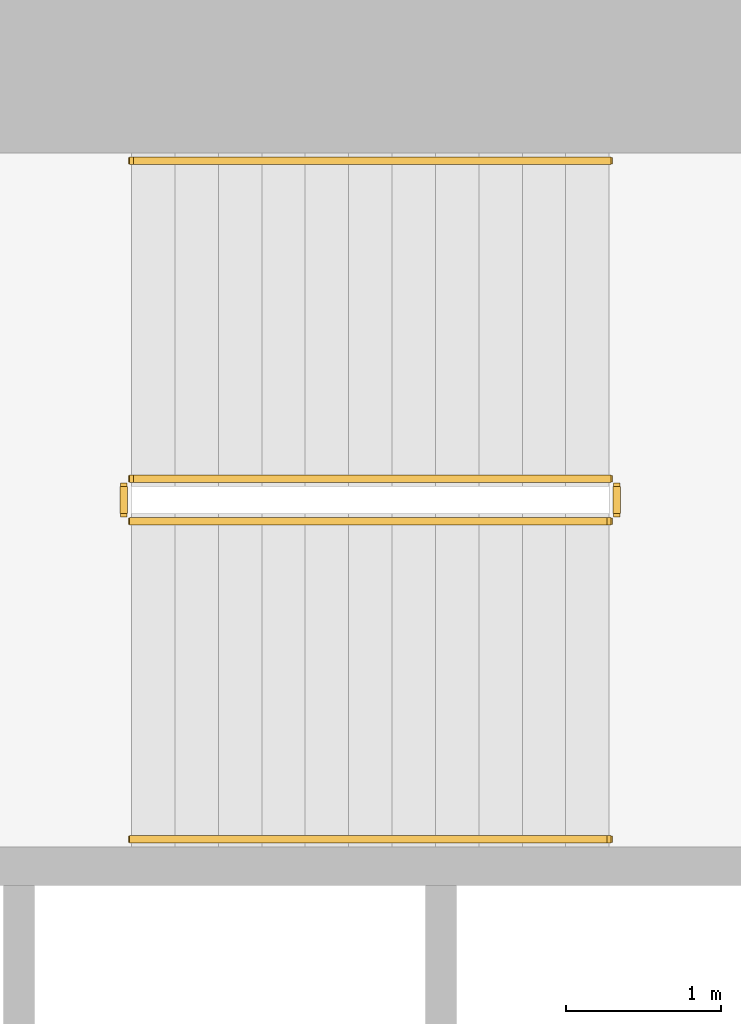
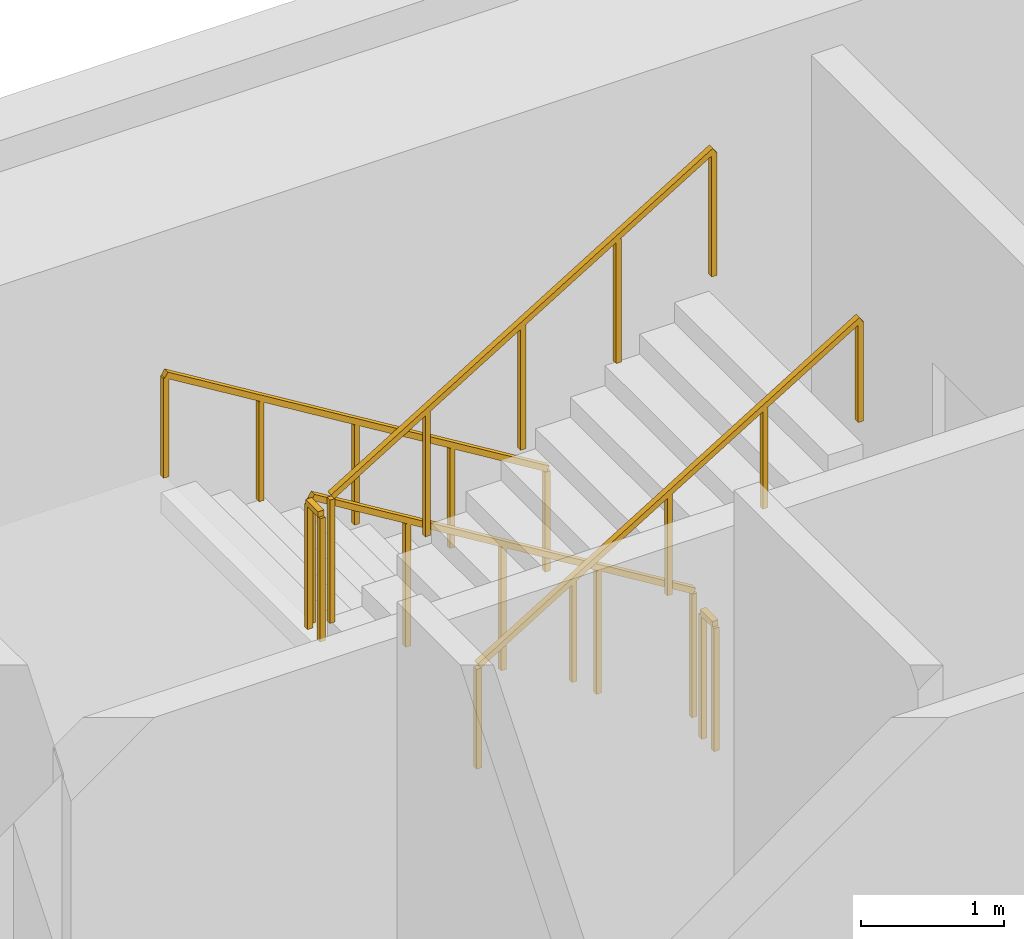
# One storey, part 14 of 16: 6 railings.
"""IFC4 building model written with IfcOpenShell, lengths in metres."""

from ifc_helpers import new_model, si_unit, direction, frame, origin, origin_2d, place, context, subcontext, project, spatial, rectangle, extrude, material, type_object, element, save


model = new_model("IFC4")

# Units and contexts
model_context = context("Model", 3, precision=1e-05, world=origin(), true_north=direction((0.0, 1.0)))
body_context = subcontext(model_context, "Body", "Model", "MODEL_VIEW")
ifc_project = project(units=[si_unit("LENGTHUNIT", "METRE"), si_unit("AREAUNIT", "SQUARE_METRE"), si_unit("VOLUMEUNIT", "CUBIC_METRE"), si_unit("PLANEANGLEUNIT", "RADIAN"), si_unit("MASSUNIT", "GRAM", prefix="KILO")], contexts=[model_context])

# Site, building, storey
site_placement = place(None, origin())
site = spatial("IfcSite", under=ifc_project, at=site_placement, CompositionType="ELEMENT")
building_placement = place(site_placement, origin())
building = spatial("IfcBuilding", under=site, at=building_placement, Name="Cypress Arch Tower", CompositionType="ELEMENT")
storey_placement = place(building_placement, frame((0.0, 0.0, 230.199951171875)))
storey = spatial("IfcBuildingStorey", under=building, at=storey_placement, Name="L51", CompositionType="ELEMENT", Elevation=230.199951171875)

# Railings
ifc_material_1 = material(Name="Black powder-coated steel square bar 48 mm", Category="steel")
railing_type_1 = type_object("IfcRailingType", Name="Stair handrail HR1", PredefinedType="HANDRAIL", material=ifc_material_1)
railing_1_placement = place(storey_placement, frame((-22.27490234375, 14.75, 0.1708984375)))
element("IfcRailing", 1, at=railing_1_placement, inside=storey, type_object=railing_type_1, Name="L51 B stair handrail 1", PredefinedType="HANDRAIL", context=body_context, shape_type="SweptSolid", body=[
    extrude(rectangle(XDim=0.048095703125, YDim=0.048095703125, at=origin_2d()), frame((0.0, 0.0, 0.8759765625), z_axis=(-0.853666305674, 0.0, 0.52082035152), x_axis=(0.0, -1.0, 0.0)), (0.0, 0.0, 1.0), 3.608154296875),
    extrude(rectangle(XDim=0.0419921875, YDim=0.0419921875, at=origin_2d()), origin(), (0.0, 0.0, 1.0), 0.851806640625),
    extrude(rectangle(XDim=0.0419921875, YDim=0.0419921875, at=origin_2d()), frame((-0.77001953125, 0.0, 0.4697265625)), (0.0, 0.0, 1.0), 0.851806640625),
    extrude(rectangle(XDim=0.0419921875, YDim=0.0419921875, at=origin_2d()), frame((-1.5400390625, 0.0, 0.939453125)), (0.0, 0.0, 1.0), 0.851806640625),
    extrude(rectangle(XDim=0.0419921875, YDim=0.0419921875, at=origin_2d()), frame((-2.31005859375, 0.0, 1.409423828125)), (0.0, 0.0, 1.0), 0.851806640625),
    extrude(rectangle(XDim=0.0419921875, YDim=0.0419921875, at=origin_2d()), frame((-3.080078125, 0.0, 1.879150390625)), (0.0, 0.0, 1.0), 0.851806640625),
])
railing_2_placement = place(storey_placement, frame((-25.35498046875, 10.375, 2.220947265625)))
element("IfcRailing", 2, at=railing_2_placement, inside=storey, type_object=railing_type_1, Name="L51 B stair handrail 2", PredefinedType="HANDRAIL", context=body_context, shape_type="SweptSolid", body=[
    extrude(rectangle(XDim=0.048095703125, YDim=0.048095703125, at=origin_2d()), frame((0.0, 0.0, 0.8759765625), z_axis=(0.853666305674, 0.0, 0.52082035152), x_axis=(0.0, 1.0, 0.0)), (0.0, 0.0, 1.0), 3.608154296875),
    extrude(rectangle(XDim=0.0419921875, YDim=0.0419921875, at=origin_2d()), origin(), (0.0, 0.0, 1.0), 0.851806640625),
    extrude(rectangle(XDim=0.0419921875, YDim=0.0419921875, at=origin_2d()), frame((0.77001953125, 0.0, 0.4697265625)), (0.0, 0.0, 1.0), 0.851806640625),
    extrude(rectangle(XDim=0.0419921875, YDim=0.0419921875, at=origin_2d()), frame((1.5400390625, 0.0, 0.939453125)), (0.0, 0.0, 1.0), 0.851806640625),
    extrude(rectangle(XDim=0.0419921875, YDim=0.0419921875, at=origin_2d()), frame((2.31005859375, 0.0, 1.409423828125)), (0.0, 0.0, 1.0), 0.851806640625),
    extrude(rectangle(XDim=0.0419921875, YDim=0.0419921875, at=origin_2d()), frame((3.080078125, 0.0, 1.879150390625)), (0.0, 0.0, 1.0), 0.851806640625),
])
ifc_material_2 = material(Name="Black powder-coated steel balusters", Category="steel")
railing_type_2 = type_object("IfcRailingType", Name="Stair well guard G1", PredefinedType="GUARDRAIL", material=ifc_material_2)
railing_3_placement = place(storey_placement, frame((-22.27490234375, 12.699951171875, 0.1708984375)))
element("IfcRailing", 3, at=railing_3_placement, inside=storey, type_object=railing_type_2, Name="L51 B stair guard 1", PredefinedType="GUARDRAIL", context=body_context, shape_type="SweptSolid", body=[
    extrude(rectangle(XDim=0.048095703125, YDim=0.048095703125, at=origin_2d()), frame((0.0, 0.0, 1.076171875), z_axis=(-0.853666305674, 0.0, 0.52082035152), x_axis=(0.0, -1.0, 0.0)), (0.0, 0.0, 1.0), 3.608154296875),
    extrude(rectangle(XDim=0.0419921875, YDim=0.0419921875, at=origin_2d()), origin(), (0.0, 0.0, 1.0), 1.052001953125),
    extrude(rectangle(XDim=0.0419921875, YDim=0.0419921875, at=origin_2d()), frame((-0.77001953125, 0.0, 0.4697265625)), (0.0, 0.0, 1.0), 1.052001953125),
    extrude(rectangle(XDim=0.0419921875, YDim=0.0419921875, at=origin_2d()), frame((-1.5400390625, 0.0, 0.939453125)), (0.0, 0.0, 1.0), 1.052001953125),
    extrude(rectangle(XDim=0.0419921875, YDim=0.0419921875, at=origin_2d()), frame((-2.31005859375, 0.0, 1.409423828125)), (0.0, 0.0, 1.0), 1.052001953125),
    extrude(rectangle(XDim=0.0419921875, YDim=0.0419921875, at=origin_2d()), frame((-3.080078125, 0.0, 1.879150390625)), (0.0, 0.0, 1.0), 1.052001953125),
])
railing_4_placement = place(storey_placement, frame((-25.405029296875, 12.64990234375, 2.050048828125)))
element("IfcRailing", 4, at=railing_4_placement, inside=storey, type_object=railing_type_2, Name="L51 B stair guard 2", PredefinedType="GUARDRAIL", context=body_context, shape_type="SweptSolid", body=[
    extrude(rectangle(XDim=0.048095703125, YDim=0.048095703125, at=origin_2d()), frame((0.0, 0.0, 1.076171875), z_axis=(0.0, -1.0, 0.0), x_axis=(1.0, 0.0, 0.0)), (0.0, 0.0, 1.0), 0.1748046875),
    extrude(rectangle(XDim=0.0419921875, YDim=0.0419921875, at=origin_2d()), origin(), (0.0, 0.0, 1.0), 1.052001953125),
    extrude(rectangle(XDim=0.0419921875, YDim=0.0419921875, at=origin_2d()), frame((0.0, -0.1748046875, 0.0)), (0.0, 0.0, 1.0), 1.052001953125),
])
railing_5_placement = place(storey_placement, frame((-25.35498046875, 12.425048828125, 2.220947265625)))
element("IfcRailing", 5, at=railing_5_placement, inside=storey, type_object=railing_type_2, Name="L51 B stair guard 3", PredefinedType="GUARDRAIL", context=body_context, shape_type="SweptSolid", body=[
    extrude(rectangle(XDim=0.048095703125, YDim=0.048095703125, at=origin_2d()), frame((0.0, 0.0, 1.076171875), z_axis=(0.853666305674, 0.0, 0.52082035152), x_axis=(0.0, 1.0, 0.0)), (0.0, 0.0, 1.0), 3.608154296875),
    extrude(rectangle(XDim=0.0419921875, YDim=0.0419921875, at=origin_2d()), origin(), (0.0, 0.0, 1.0), 1.052001953125),
    extrude(rectangle(XDim=0.0419921875, YDim=0.0419921875, at=origin_2d()), frame((0.77001953125, 0.0, 0.4697265625)), (0.0, 0.0, 1.0), 1.052001953125),
    extrude(rectangle(XDim=0.0419921875, YDim=0.0419921875, at=origin_2d()), frame((1.5400390625, 0.0, 0.939453125)), (0.0, 0.0, 1.0), 1.052001953125),
    extrude(rectangle(XDim=0.0419921875, YDim=0.0419921875, at=origin_2d()), frame((2.31005859375, 0.0, 1.409423828125)), (0.0, 0.0, 1.0), 1.052001953125),
    extrude(rectangle(XDim=0.0419921875, YDim=0.0419921875, at=origin_2d()), frame((3.080078125, 0.0, 1.879150390625)), (0.0, 0.0, 1.0), 1.052001953125),
])
railing_6_placement = place(storey_placement, frame((-22.22509765625, 12.64990234375, 0.0)))
element("IfcRailing", 6, at=railing_6_placement, inside=storey, type_object=railing_type_2, Name="L51 B stair guard 4", PredefinedType="GUARDRAIL", context=body_context, shape_type="SweptSolid", body=[
    extrude(rectangle(XDim=0.048095703125, YDim=0.048095703125, at=origin_2d()), frame((0.0, 0.0, 1.076171875), z_axis=(0.0, -1.0, 0.0), x_axis=(1.0, 0.0, 0.0)), (0.0, 0.0, 1.0), 0.1748046875),
    extrude(rectangle(XDim=0.0419921875, YDim=0.0419921875, at=origin_2d()), origin(), (0.0, 0.0, 1.0), 1.052001953125),
    extrude(rectangle(XDim=0.0419921875, YDim=0.0419921875, at=origin_2d()), frame((0.0, -0.1748046875, 0.0)), (0.0, 0.0, 1.0), 1.052001953125),
])

save(model, "model.ifc")
